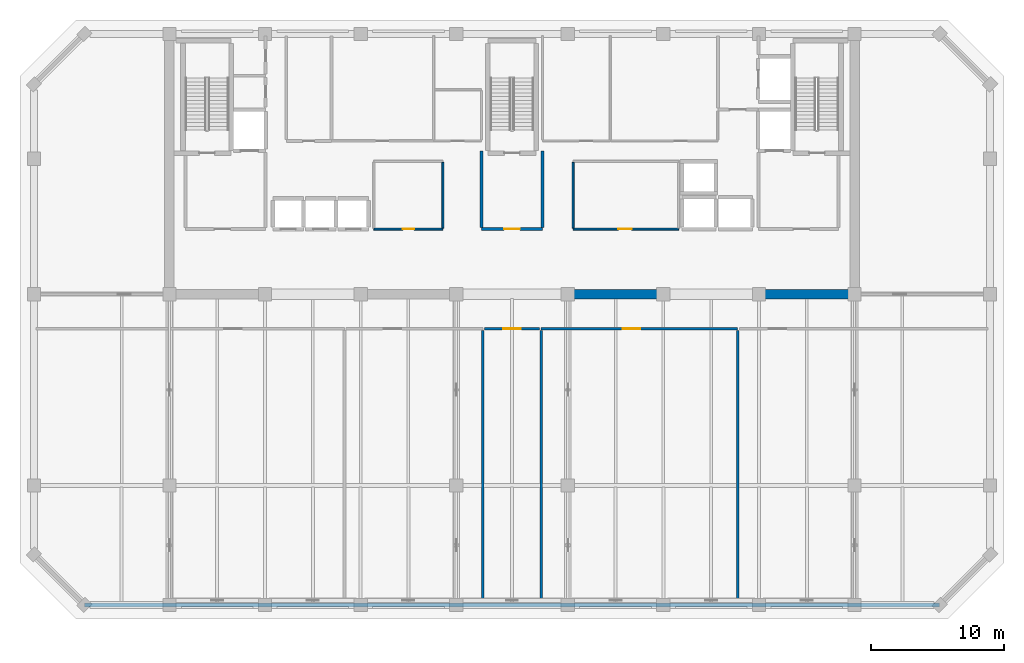
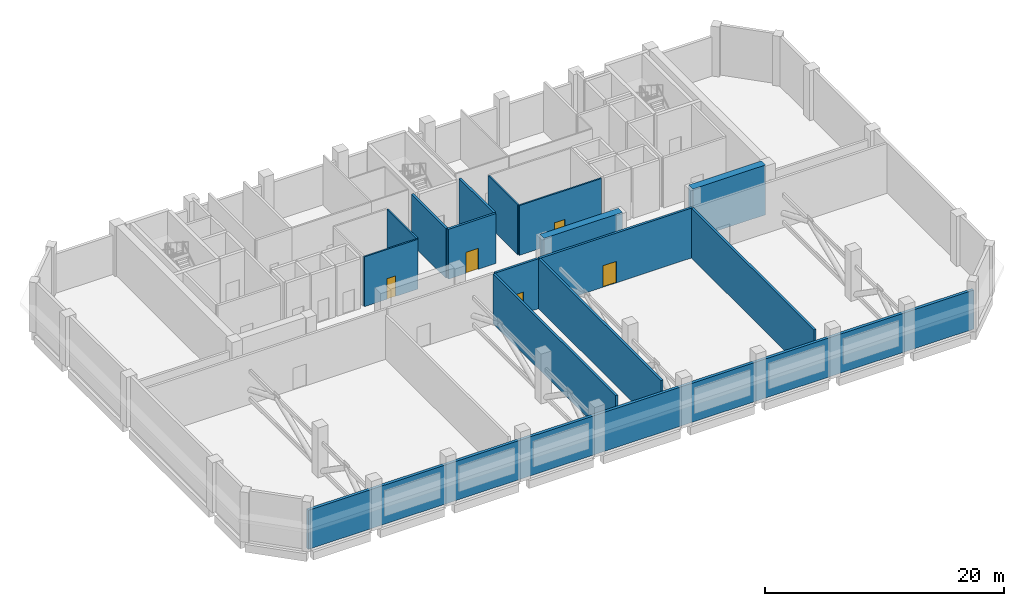
# One storey, part 6 of 11: 15 walls, 5 doors, 5 openings.
"""IFC4 building model written with IfcOpenShell, lengths in metres."""

from ifc_helpers import new_model, si_unit, direction, frame, frame_2d, origin, place, context, subcontext, project, spatial, rectangle, extrude, material, layer, layer_set, type_object, element, fill, save


model = new_model("IFC4")

# Units and contexts
model_context = context("Model", 3, precision=1e-05, world=origin(), true_north=direction((0.0, 1.0)))
body_context = subcontext(model_context, "Body", "Model", "MODEL_VIEW")
ifc_project = project(units=[si_unit("LENGTHUNIT", "METRE"), si_unit("AREAUNIT", "SQUARE_METRE"), si_unit("VOLUMEUNIT", "CUBIC_METRE"), si_unit("PLANEANGLEUNIT", "RADIAN"), si_unit("MASSUNIT", "GRAM", prefix="KILO")], contexts=[model_context])

# Site, building, storey
site_placement = place(None, origin())
site = spatial("IfcSite", under=ifc_project, at=site_placement, CompositionType="ELEMENT")
building_placement = place(site_placement, origin())
building = spatial("IfcBuilding", under=site, at=building_placement, Name="Kaelvorn Grand Hotel", CompositionType="ELEMENT")
storey_placement = place(building_placement, frame((0.0, 0.0, 280.5)))
storey = spatial("IfcBuildingStorey", under=building, at=storey_placement, Name="L69", CompositionType="ELEMENT", Elevation=280.5)

# Walls
ifc_material_1 = material(Name="Concrete C50/60", Category="concrete")
ifc_layer_1 = layer(ifc_material_1, 0.699951171875)
ifc_layer_set_1 = layer_set([ifc_layer_1], Name="Concrete C50/60")
wall_type_1 = type_object("IfcWallType", Name="WL-CORE-700-C50", PredefinedType="SHEAR", material=ifc_layer_set_1)
wall_1_placement = place(storey_placement, frame((46.0, 29.39990234375, 0.0), z_axis=(0.0, 0.0, 1.0), x_axis=(1.0, 0.0, 0.0)))
element("IfcWall", 1, at=wall_1_placement, inside=storey, type_object=wall_type_1, Name="L69 Rear-Core Coupled Shear Pier S3", PredefinedType="SHEAR", context=body_context, shape_type="SweptSolid", body=[
    extrude(rectangle(XDim=7.60009765625, YDim=0.699951171875, at=frame_2d((3.800048828125, 0.0))), origin(), (0.0, 0.0, 1.0), 5.10009765625),
])
wall_2_placement = place(storey_placement, frame((60.39990234375, 29.39990234375, 0.0), z_axis=(0.0, 0.0, 1.0), x_axis=(1.0, 0.0, 0.0)))
element("IfcWall", 2, at=wall_2_placement, inside=storey, type_object=wall_type_1, Name="L69 Rear-Core Coupled Shear Pier S4", PredefinedType="SHEAR", context=body_context, shape_type="SweptSolid", body=[
    extrude(rectangle(XDim=7.045166015625, YDim=0.699951171875, at=frame_2d((3.5224609375, 0.0))), origin(), (0.0, 0.0, 1.0), 5.10009765625),
])
ifc_material_2 = material(Name="Concrete C40/50", Category="concrete")
ifc_layer_2 = layer(ifc_material_2, 0.280029296875)
ifc_layer_set_2 = layer_set([ifc_layer_2], Name="Concrete C40/50")
wall_type_2 = type_object("IfcWallType", Name="WL-EXT-280-C40", PredefinedType="SOLIDWALL", material=ifc_layer_set_2)
wall_3_placement = place(storey_placement, frame((9.800048828125, 6.0, 0.0), z_axis=(0.0, 0.0, 1.0), x_axis=(1.0, 0.0, 0.0)))
element("IfcWall", 3, at=wall_3_placement, inside=storey, type_object=wall_type_2, Name="L69 Exterior Architectural Concrete Wall 01", PredefinedType="SOLIDWALL", context=body_context, shape_type="SweptSolid", body=[
    extrude(rectangle(XDim=64.39990234375, YDim=0.280029296875, at=frame_2d((32.199951171875, 0.0))), origin(), (0.0, 0.0, 1.0), 4.0),
])

# Wall, opening, door
ifc_material_3 = material(Name="Acoustic Gypsum & Stud Partition")
ifc_layer_3 = layer(ifc_material_3, 0.14990234375)
ifc_layer_set_3 = layer_set([ifc_layer_3], Name="Acoustic Gypsum & Stud Partition")
wall_type_3 = type_object("IfcWallType", Name="WL-PART-150-EI60", PredefinedType="PARTITIONING", material=ifc_layer_set_3)
wall_4_placement = place(storey_placement, frame((31.60009765625, 34.300048828125, 0.0), z_axis=(0.0, 0.0, 1.0), x_axis=(1.0, 0.0, 0.0)))
wall_4 = element("IfcWall", 4, at=wall_4_placement, inside=storey, type_object=wall_type_3, Name="L69 Core Telecoms & BMS Server Room S Partition", PredefinedType="PARTITIONING", context=body_context, shape_type="SweptSolid", body=[
    extrude(rectangle(XDim=5.199951171875, YDim=0.14990234375, at=frame_2d((2.60009765625, 0.0))), origin(), (0.0, 0.0, 1.0), 5.10009765625),
])
opening_1_placement = place(wall_4_placement, frame((2.175048828125, 0.0, 0.0)))
opening_1 = element("IfcOpeningElement", 5, at=opening_1_placement, cuts=wall_4, Name="Opening DI7", PredefinedType="OPENING", context=body_context, shape_type="SweptSolid", body=[
    extrude(rectangle(XDim=0.85009765625, YDim=2.10009765625, at=frame_2d((0.425048828125, 1.050048828125))), frame((0.0, 0.0849609375, 0.0), z_axis=(0.0, -1.0, 0.0), x_axis=(1.0, 0.0, 0.0)), (0.0, 0.0, 1.0), 0.169921875),
])
ifc_material_4 = material(Name="Powder-Coated Steel Leaf", Category="steel")
door_type_1 = type_object("IfcDoorType", Name="DR-INT-RISER-850x2100", OperationType="NOTDEFINED", PredefinedType="DOOR", material=ifc_material_4)
door_1_placement = place(opening_1_placement, origin())
door_1 = element("IfcDoor", 6, at=door_1_placement, inside=storey, type_object=door_type_1, Name="L69 Core Telecoms & BMS Server Room Door", OperationType="SINGLE_SWING_LEFT", OverallHeight=2.10009765625, OverallWidth=0.85009765625, PredefinedType="DOOR", context=body_context, shape_type="SweptSolid", body=[
    extrude(rectangle(XDim=0.85009765625, YDim=2.10009765625, at=frame_2d((0.425048828125, 1.050048828125))), frame((0.0, 0.02490234375, 0.0), z_axis=(0.0, -1.0, 0.0), x_axis=(1.0, 0.0, 0.0)), (0.0, 0.0, 1.0), 0.050048828125),
])
fill(opening_1, door_1)

# Wall
wall_5_placement = place(storey_placement, frame((36.800048828125, 34.3798828125, 0.0), z_axis=(0.0, 0.0, 1.0), x_axis=(0.0, 1.0, 0.0)))
element("IfcWall", 7, at=wall_5_placement, inside=storey, type_object=wall_type_3, Name="L69 Core Telecoms & BMS Server Room E Partition", PredefinedType="PARTITIONING", context=body_context, shape_type="SweptSolid", body=[
    extrude(rectangle(XDim=4.940185546875, YDim=0.14990234375, at=frame_2d((2.47021484375, 0.0))), origin(), (0.0, 0.0, 1.0), 5.10009765625),
])

# Wall, opening, door
wall_6_placement = place(storey_placement, frame((46.60009765625, 34.300048828125, 0.0), z_axis=(0.0, 0.0, 1.0), x_axis=(1.0, 0.0, 0.0)))
wall_6 = element("IfcWall", 8, at=wall_6_placement, inside=storey, type_object=wall_type_3, Name="L69 Sky Concierge & Butler Pantry Lounge S Partition", PredefinedType="PARTITIONING", context=body_context, shape_type="SweptSolid", body=[
    extrude(rectangle(XDim=7.949951171875, YDim=0.14990234375, at=frame_2d((3.97509765625, 0.0))), origin(), (0.0, 0.0, 1.0), 5.10009765625),
])
opening_2_placement = place(wall_6_placement, frame((3.39990234375, 0.0, 0.0)))
opening_2 = element("IfcOpeningElement", 9, at=opening_2_placement, cuts=wall_6, Name="Opening DI3", PredefinedType="OPENING", context=body_context, shape_type="SweptSolid", body=[
    extrude(rectangle(XDim=1.0, YDim=2.14990234375, at=frame_2d((0.5, 1.074951171875))), frame((0.0, 0.0849609375, 0.0), z_axis=(0.0, -1.0, 0.0), x_axis=(1.0, 0.0, 0.0)), (0.0, 0.0, 1.0), 0.169921875),
])
ifc_material_5 = material(Name="Timber Veneer Fire Leaf", Category="wood")
door_type_2 = type_object("IfcDoorType", Name="DR-INT-GUEST-1000x2150", OperationType="NOTDEFINED", PredefinedType="DOOR", material=ifc_material_5)
door_2_placement = place(opening_2_placement, origin())
door_2 = element("IfcDoor", 10, at=door_2_placement, inside=storey, type_object=door_type_2, Name="L69 Sky Concierge & Butler Pantry Lounge Door", OperationType="SINGLE_SWING_RIGHT", OverallHeight=2.14990234375, OverallWidth=1.0, PredefinedType="DOOR", context=body_context, shape_type="SweptSolid", body=[
    extrude(rectangle(XDim=1.0, YDim=2.14990234375, at=frame_2d((0.5, 1.074951171875))), frame((0.0, 0.02490234375, 0.0), z_axis=(0.0, -1.0, 0.0), x_axis=(1.0, 0.0, 0.0)), (0.0, 0.0, 1.0), 0.050048828125),
])
fill(opening_2, door_2)

# Wall
wall_7_placement = place(storey_placement, frame((46.60009765625, 34.3798828125, 0.0), z_axis=(0.0, 0.0, 1.0), x_axis=(0.0, 1.0, 0.0)))
element("IfcWall", 11, at=wall_7_placement, inside=storey, type_object=wall_type_3, Name="L69 Sky Concierge & Butler Pantry Lounge W Partition", PredefinedType="PARTITIONING", context=body_context, shape_type="SweptSolid", body=[
    extrude(rectangle(XDim=4.940185546875, YDim=0.14990234375, at=frame_2d((2.47021484375, 0.0))), origin(), (0.0, 0.0, 1.0), 5.10009765625),
])

# Wall, opening, door
ifc_layer_4 = layer(ifc_material_2, 0.219970703125)
ifc_layer_set_4 = layer_set([ifc_layer_4], Name="Concrete C40/50")
wall_type_4 = type_object("IfcWallType", Name="WL-PART-220-EI120", PredefinedType="PARTITIONING", material=ifc_layer_set_4)
wall_8_placement = place(storey_placement, frame((39.699951171875, 34.300048828125, 0.0), z_axis=(0.0, 0.0, 1.0), x_axis=(1.0, 0.0, 0.0)))
wall_8 = element("IfcWall", 12, at=wall_8_placement, inside=storey, type_object=wall_type_4, Name="L69 Central Stair Escape Vestibule S Partition", PredefinedType="PARTITIONING", context=body_context, shape_type="SweptSolid", body=[
    extrude(rectangle(XDim=4.60009765625, YDim=0.219970703125, at=frame_2d((2.300048828125, 0.0))), origin(), (0.0, 0.0, 1.0), 5.10009765625),
])
opening_3_placement = place(wall_8_placement, frame((1.699951171875, 0.0, 0.0)))
opening_3 = element("IfcOpeningElement", 13, at=opening_3_placement, cuts=wall_8, Name="Opening DI2", PredefinedType="OPENING", context=body_context, shape_type="SweptSolid", body=[
    extrude(rectangle(XDim=1.199951171875, YDim=2.14990234375, at=frame_2d((0.60009765625, 1.074951171875))), frame((0.0, 0.1201171875, 0.0), z_axis=(0.0, -1.0, 0.0), x_axis=(1.0, 0.0, 0.0)), (0.0, 0.0, 1.0), 0.239990234375),
])
door_type_3 = type_object("IfcDoorType", Name="DR-INT-FFLOB-1200x2150", OperationType="NOTDEFINED", PredefinedType="DOOR", material=ifc_material_5)
door_3_placement = place(opening_3_placement, origin())
door_3 = element("IfcDoor", 14, at=door_3_placement, inside=storey, type_object=door_type_3, Name="L69 Central Stair Escape Vestibule Door", OperationType="SINGLE_SWING_LEFT", OverallHeight=2.14990234375, OverallWidth=1.199951171875, PredefinedType="DOOR", context=body_context, shape_type="SweptSolid", body=[
    extrude(rectangle(XDim=1.199951171875, YDim=2.14990234375, at=frame_2d((0.60009765625, 1.074951171875))), frame((0.0, 0.02490234375, 0.0), z_axis=(0.0, -1.0, 0.0), x_axis=(1.0, 0.0, 0.0)), (0.0, 0.0, 1.0), 0.050048828125),
])
fill(opening_3, door_3)

# Walls
for number, where, z_axis, x_axis, name in (
    (15, (39.699951171875, 34.4150390625, 0.0), (0.0, 0.0, 1.0), (0.0, 1.0, 0.0), "L69 Central Stair Escape Vestibule W Partition"),
    (16, (44.300048828125, 34.4150390625, 0.0), (0.0, 0.0, 1.0), (0.0, 1.0, 0.0), "L69 Central Stair Escape Vestibule E Partition"),
):
    element("IfcWall", number, at=place(storey_placement, frame(where, z_axis=z_axis, x_axis=x_axis)), inside=storey, type_object=wall_type_4, Name=name, PredefinedType="PARTITIONING", context=body_context, shape_type="SweptSolid", body=[
        extrude(rectangle(XDim=5.784912109375, YDim=0.219970703125, at=frame_2d((2.892578125, 0.0))), origin(), (0.0, 0.0, 1.0), 5.10009765625),
    ])
wall_9_placement = place(storey_placement, frame((39.800048828125, 6.14990234375, 0.0), z_axis=(0.0, 0.0, 1.0), x_axis=(0.0, 1.0, 0.0)))
element("IfcWall", 17, at=wall_9_placement, inside=storey, type_object=wall_type_4, Name="L69 AHU Mechanical Ventilation Plant Room E Partition", PredefinedType="PARTITIONING", context=body_context, shape_type="SweptSolid", body=[
    extrude(rectangle(XDim=20.53515625, YDim=0.219970703125, at=frame_2d((10.267578125, 0.0))), origin(), (0.0, 0.0, 1.0), 5.10009765625),
])

# Wall, opening, door
wall_10_placement = place(storey_placement, frame((44.199951171875, 26.800048828125, 0.0), z_axis=(0.0, 0.0, 1.0), x_axis=(1.0, 0.0, 0.0)))
wall_10 = element("IfcWall", 18, at=wall_10_placement, inside=storey, type_object=wall_type_4, Name="L69 HV Electrical Transformer & Switchroom N Partition", PredefinedType="PARTITIONING", context=body_context, shape_type="SweptSolid", body=[
    extrude(rectangle(XDim=14.800048828125, YDim=0.219970703125, at=frame_2d((7.39990234375, 0.0))), origin(), (0.0, 0.0, 1.0), 5.10009765625),
])
opening_4_placement = place(wall_10_placement, frame((6.14990234375, 0.0, 0.0)))
opening_4 = element("IfcOpeningElement", 19, at=opening_4_placement, cuts=wall_10, Name="Opening DI6", PredefinedType="OPENING", context=body_context, shape_type="SweptSolid", body=[
    extrude(rectangle(XDim=1.300048828125, YDim=2.199951171875, at=frame_2d((0.64990234375, 1.10009765625))), frame((0.0, 0.1201171875, 0.0), z_axis=(0.0, -1.0, 0.0), x_axis=(1.0, 0.0, 0.0)), (0.0, 0.0, 1.0), 0.239990234375),
])
door_type_4 = type_object("IfcDoorType", Name="DR-INT-PLANT-1300x2200", OperationType="DOUBLE_DOOR_SINGLE_SWING", PredefinedType="DOOR", material=ifc_material_4)
door_4_placement = place(opening_4_placement, origin())
door_4 = element("IfcDoor", 20, at=door_4_placement, inside=storey, type_object=door_type_4, Name="L69 HV Electrical Transformer & Switchroom Door", OperationType="DOUBLE_DOOR_SINGLE_SWING", OverallHeight=2.199951171875, OverallWidth=1.300048828125, PredefinedType="DOOR", context=body_context, shape_type="SweptSolid", body=[
    extrude(rectangle(XDim=1.300048828125, YDim=2.199951171875, at=frame_2d((0.64990234375, 1.10009765625))), frame((0.0, 0.02490234375, 0.0), z_axis=(0.0, -1.0, 0.0), x_axis=(1.0, 0.0, 0.0)), (0.0, 0.0, 1.0), 0.050048828125),
])
fill(opening_4, door_4)

# Walls
for number, where, z_axis, x_axis, name in (
    (21, (44.199951171875, 6.14990234375, 0.0), (0.0, 0.0, 1.0), (0.0, 1.0, 0.0), "L69 HV Electrical Transformer & Switchroom W Partition"),
    (22, (59.0, 6.14990234375, 0.0), (0.0, 0.0, 1.0), (0.0, 1.0, 0.0), "L69 HV Electrical Transformer & Switchroom E Partition"),
):
    element("IfcWall", number, at=place(storey_placement, frame(where, z_axis=z_axis, x_axis=x_axis)), inside=storey, type_object=wall_type_4, Name=name, PredefinedType="PARTITIONING", context=body_context, shape_type="SweptSolid", body=[
        extrude(rectangle(XDim=20.53515625, YDim=0.219970703125, at=frame_2d((10.267578125, 0.0))), origin(), (0.0, 0.0, 1.0), 5.10009765625),
    ])

# Wall, opening, door
wall_11_placement = place(storey_placement, frame((39.9150390625, 26.800048828125, 0.0), z_axis=(0.0, 0.0, 1.0), x_axis=(1.0, 0.0, 0.0)))
wall_11 = element("IfcWall", 23, at=wall_11_placement, inside=storey, type_object=wall_type_4, Name="L69 Smoke Control & BMS Telemetry Room N Partition", PredefinedType="PARTITIONING", context=body_context, shape_type="SweptSolid", body=[
    extrude(rectangle(XDim=4.169921875, YDim=0.219970703125, at=frame_2d((2.0849609375, 0.0))), origin(), (0.0, 0.0, 1.0), 5.10009765625),
])
opening_5_placement = place(wall_11_placement, frame((1.43505859375, 0.0, 0.0)))
opening_5 = element("IfcOpeningElement", 24, at=opening_5_placement, cuts=wall_11, Name="Opening DI6", PredefinedType="OPENING", context=body_context, shape_type="SweptSolid", body=[
    extrude(rectangle(XDim=1.300048828125, YDim=2.199951171875, at=frame_2d((0.64990234375, 1.10009765625))), frame((0.0, 0.1201171875, 0.0), z_axis=(0.0, -1.0, 0.0), x_axis=(1.0, 0.0, 0.0)), (0.0, 0.0, 1.0), 0.239990234375),
])
door_5_placement = place(opening_5_placement, origin())
door_5 = element("IfcDoor", 25, at=door_5_placement, inside=storey, type_object=door_type_4, Name="L69 Smoke Control & BMS Telemetry Room Door", OperationType="DOUBLE_DOOR_SINGLE_SWING", OverallHeight=2.199951171875, OverallWidth=1.300048828125, PredefinedType="DOOR", context=body_context, shape_type="SweptSolid", body=[
    extrude(rectangle(XDim=1.300048828125, YDim=2.199951171875, at=frame_2d((0.64990234375, 1.10009765625))), frame((0.0, 0.02490234375, 0.0), z_axis=(0.0, -1.0, 0.0), x_axis=(1.0, 0.0, 0.0)), (0.0, 0.0, 1.0), 0.050048828125),
])
fill(opening_5, door_5)

save(model, "model.ifc")
